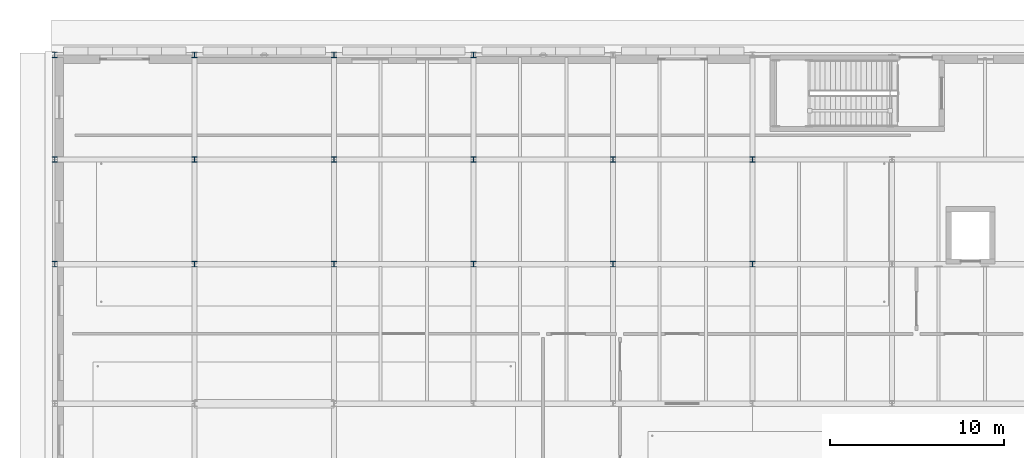
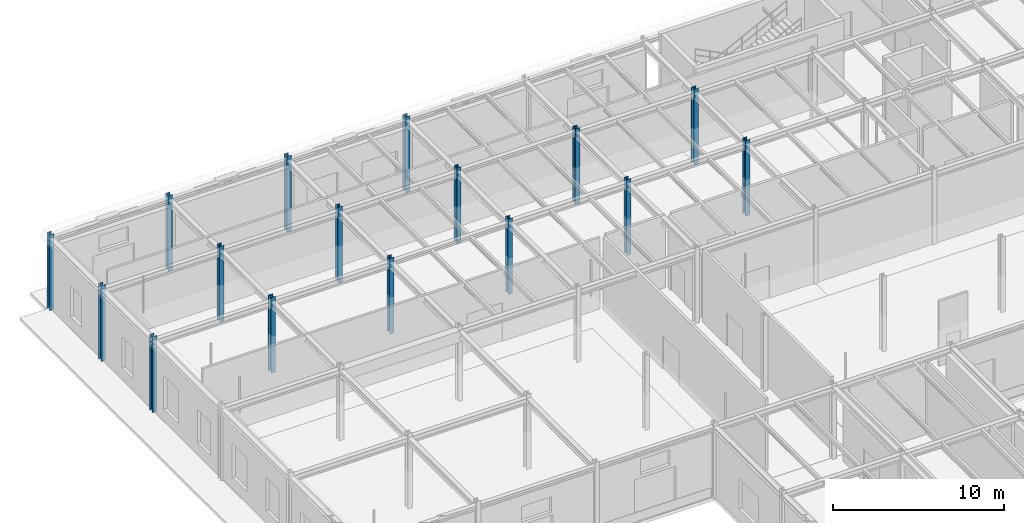
# One storey, part 12 of 129: 16 columns.
"""IFC4 building model written with IfcOpenShell, lengths in metres."""

from ifc_helpers import new_model, si_unit, direction, frame, origin, origin_2d, place, context, subcontext, project, spatial, i_section, extrude, material, material_profile, profile_set, type_object, element, save


model = new_model("IFC4")

# Units and contexts
model_context = context("Model", 3, precision=1e-05, world=origin(), true_north=direction((0.0, 1.0)))
body_context = subcontext(model_context, "Body", "Model", "MODEL_VIEW")
ifc_project = project(units=[si_unit("LENGTHUNIT", "METRE"), si_unit("AREAUNIT", "SQUARE_METRE"), si_unit("VOLUMEUNIT", "CUBIC_METRE"), si_unit("PLANEANGLEUNIT", "RADIAN"), si_unit("MASSUNIT", "GRAM", prefix="KILO")], contexts=[model_context])

# Site, building, storey
site_placement = place(None, origin())
site = spatial("IfcSite", under=ifc_project, at=site_placement, CompositionType="ELEMENT")
building_placement = place(site_placement, origin())
building = spatial("IfcBuilding", under=site, at=building_placement, Name="Sundkrona Museum", CompositionType="ELEMENT")
storey_placement = place(building_placement, origin())
storey = spatial("IfcBuildingStorey", under=building, at=storey_placement, Name="L00", CompositionType="ELEMENT", Elevation=0.0)

# Columns
ifc_material = material(Name="Steel S355J2", Category="steel")
ifc_material_profile = material_profile(ifc_material, i_section(OverallWidth=0.300048828125, OverallDepth=0.320068359375, WebThickness=0.011474609375, FlangeThickness=0.0205078125, FilletRadius=0.027099609375, at=origin_2d()), Name="HEB 320")
ifc_profile_set = profile_set([ifc_material_profile], Name="Steel S355J2")
column_type = type_object("IfcColumnType", Name="C-HEB320", PredefinedType="COLUMN", material=ifc_profile_set)
for number, where, z_axis, x_axis, name in (
    (1, (0.0, 102.0, 0.0), (0.0, 0.0, 1.0), (1.0, 0.0, 0.0), "L00 Column P/1"),
    (2, (0.0, 108.0, 0.0), (0.0, 0.0, 1.0), (1.0, 0.0, 0.0), "L00 Column Q/1"),
    (3, (0.0, 114.0, 0.0), (0.0, 0.0, 1.0), (1.0, 0.0, 0.0), "L00 Column R/1"),
    (4, (8.0, 102.0, 0.0), (0.0, 0.0, 1.0), (1.0, 0.0, 0.0), "L00 Column P/2"),
    (5, (8.0, 108.0, 0.0), (0.0, 0.0, 1.0), (1.0, 0.0, 0.0), "L00 Column Q/2"),
    (6, (8.0, 114.0, 0.0), (0.0, 0.0, 1.0), (1.0, 0.0, 0.0), "L00 Column R/2"),
    (7, (16.0, 102.0, 0.0), (0.0, 0.0, 1.0), (1.0, 0.0, 0.0), "L00 Column P/3"),
    (8, (16.0, 108.0, 0.0), (0.0, 0.0, 1.0), (1.0, 0.0, 0.0), "L00 Column Q/3"),
    (9, (16.0, 114.0, 0.0), (0.0, 0.0, 1.0), (1.0, 0.0, 0.0), "L00 Column R/3"),
    (10, (24.0, 102.0, 0.0), (0.0, 0.0, 1.0), (1.0, 0.0, 0.0), "L00 Column P/4"),
    (11, (24.0, 108.0, 0.0), (0.0, 0.0, 1.0), (1.0, 0.0, 0.0), "L00 Column Q/4"),
    (12, (24.0, 114.0, 0.0), (0.0, 0.0, 1.0), (1.0, 0.0, 0.0), "L00 Column R/4"),
    (13, (32.0, 102.0, 0.0), (0.0, 0.0, 1.0), (1.0, 0.0, 0.0), "L00 Column P/5"),
    (14, (32.0, 108.0, 0.0), (0.0, 0.0, 1.0), (1.0, 0.0, 0.0), "L00 Column Q/5"),
    (15, (40.0, 102.0, 0.0), (0.0, 0.0, 1.0), (1.0, 0.0, 0.0), "L00 Column P/6"),
    (16, (40.0, 108.0, 0.0), (0.0, 0.0, 1.0), (1.0, 0.0, 0.0), "L00 Column Q/6"),
):
    element("IfcColumn", number, at=place(storey_placement, frame(where, z_axis=z_axis, x_axis=x_axis)), inside=storey, type_object=column_type, Name=name, PredefinedType="COLUMN", context=body_context, shape_type="SweptSolid", body=[
        extrude(i_section(OverallWidth=0.300048828125, OverallDepth=0.320068359375, WebThickness=0.011474609375, FlangeThickness=0.0205078125, FilletRadius=0.027099609375, at=origin_2d()), origin(), (0.0, 0.0, 1.0), 5.39990234375),
    ])

save(model, "model.ifc")
